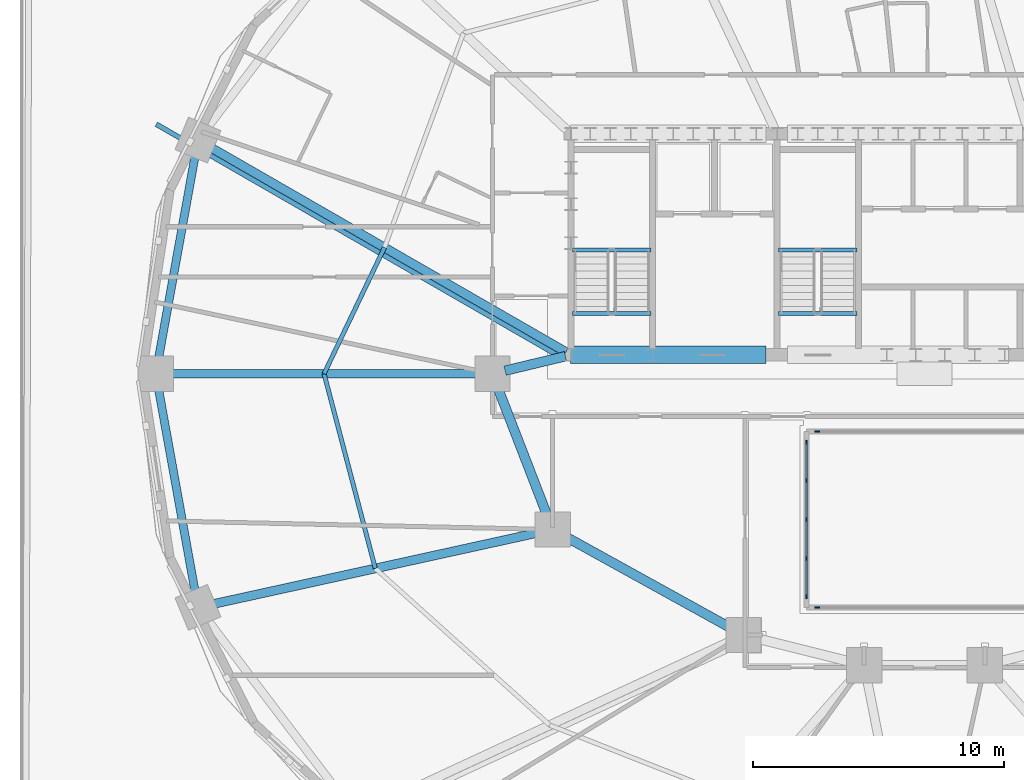
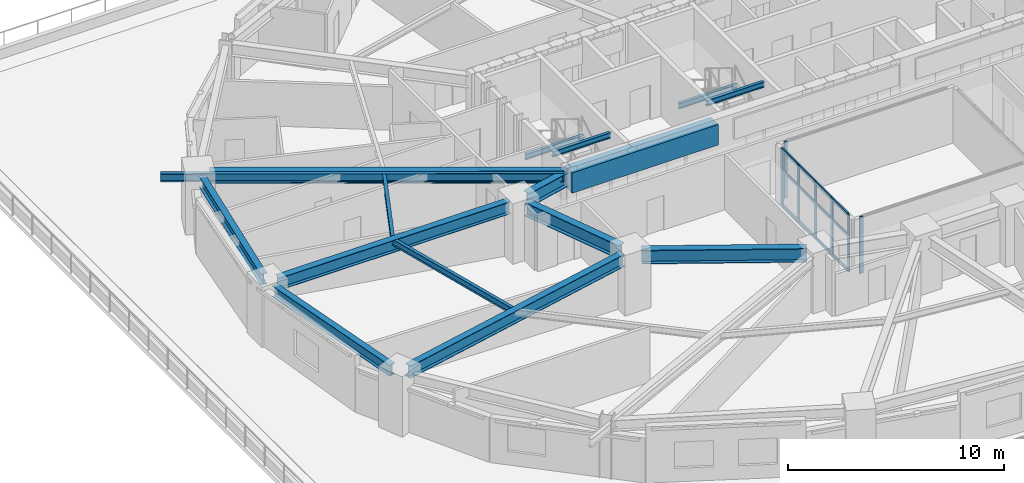
# One storey, part 3 of 18: 19 members, 16 beams, 3 elements without a shape of their own.
"""IFC4 building model written with IfcOpenShell, lengths in metres."""

from ifc_helpers import new_model, si_unit, direction, frame, origin, origin_2d, place, context, subcontext, project, spatial, rectangle, i_section, extrude, material, material_profile, profile_set, type_object, element, aggregate, save


model = new_model("IFC4")

# Units and contexts
model_context = context("Model", 3, precision=1e-05, world=origin(), true_north=direction((0.0, 1.0)))
body_context = subcontext(model_context, "Body", "Model", "MODEL_VIEW")
ifc_project = project(units=[si_unit("LENGTHUNIT", "METRE"), si_unit("AREAUNIT", "SQUARE_METRE"), si_unit("VOLUMEUNIT", "CUBIC_METRE"), si_unit("PLANEANGLEUNIT", "RADIAN"), si_unit("MASSUNIT", "GRAM", prefix="KILO")], contexts=[model_context])

# Site, building, storey
site_placement = place(None, origin())
site = spatial("IfcSite", under=ifc_project, at=site_placement, CompositionType="ELEMENT")
building_placement = place(site_placement, origin())
building = spatial("IfcBuilding", under=site, at=building_placement, Name="Haldorwick Loom Tower", CompositionType="ELEMENT")
storey_placement = place(building_placement, frame((0.0, 0.0, 24.0)))
storey = spatial("IfcBuildingStorey", under=building, at=storey_placement, Name="L05", CompositionType="ELEMENT", Elevation=24.0)

# Curtain wall, member
ifc_material_1 = material(Name="Thermally Broken Anodized Aluminium Curtain Wall Framing", Category="aluminium")
curtain_wall_type = type_object("IfcCurtainWallType", Name="ARC-CW-03", PredefinedType="NOTDEFINED", material=ifc_material_1)
curtain_wall_1_placement = place(storey_placement, origin())
curtain_wall_1 = element("IfcCurtainWall", 1, at=curtain_wall_1_placement, inside=storey, type_object=curtain_wall_type, Name="L05 Atrium Glazed Screen S", PredefinedType="NOTDEFINED")
ifc_material_profile_1 = material_profile(ifc_material_1, rectangle(XDim=0.06591796875, YDim=0.18505859375, at=origin_2d()), Name="ALU_MUL_66X185", Category="aluminium")
ifc_profile_set_1 = profile_set([ifc_material_profile_1], Name="Thermally Broken Anodized Aluminium Curtain Wall Framing")
member_type_1 = type_object("IfcMemberType", Name="ARC-CWM-03", PredefinedType="MULLION", material=ifc_profile_set_1)
member_1_placement = place(storey_placement, frame((31.73291015625, 16.699951171875, 0.0), z_axis=(0.0, 0.0, 1.0), x_axis=(0.0, -1.0, 0.0)))
member_1 = element("IfcMember", 2, at=member_1_placement, type_object=member_type_1, Name="CW-03 mullion 6", PredefinedType="MULLION", context=body_context, shape_type="SweptSolid", body=[
    extrude(rectangle(XDim=0.06591796875, YDim=0.18505859375, at=origin_2d()), origin(), (0.0, 0.0, 1.0), 3.2099609375),
])
aggregate(curtain_wall_1, [member_1])

curtain_wall_2_placement = place(storey_placement, origin())
curtain_wall_2 = element("IfcCurtainWall", 3, at=curtain_wall_2_placement, inside=storey, type_object=curtain_wall_type, Name="L05 Atrium Glazed Screen N", PredefinedType="NOTDEFINED")
member_2_placement = place(storey_placement, frame((31.73291015625, 23.699951171875, 0.0), z_axis=(0.0, 0.0, 1.0), x_axis=(0.0, 1.0, 0.0)))
member_2 = element("IfcMember", 4, at=member_2_placement, type_object=member_type_1, Name="CW-03 mullion 1", PredefinedType="MULLION", context=body_context, shape_type="SweptSolid", body=[
    extrude(rectangle(XDim=0.06591796875, YDim=0.18505859375, at=origin_2d()), origin(), (0.0, 0.0, 1.0), 3.2099609375),
])
aggregate(curtain_wall_2, [member_2])

# Curtain wall, members
curtain_wall_3_placement = place(storey_placement, origin())
curtain_wall_3 = element("IfcCurtainWall", 5, at=curtain_wall_3_placement, inside=storey, type_object=curtain_wall_type, Name="L05 Atrium Glazed Screen W", PredefinedType="NOTDEFINED")
member_3_placement = place(storey_placement, frame((31.300048828125, 17.133056640625, 0.0), z_axis=(0.0, 0.0, 1.0), x_axis=(-1.0, 0.0, 0.0)))
member_3 = element("IfcMember", 6, at=member_3_placement, type_object=member_type_1, Name="CW-03 mullion 1", PredefinedType="MULLION", context=body_context, shape_type="SweptSolid", body=[
    extrude(rectangle(XDim=0.06591796875, YDim=0.18505859375, at=origin_2d()), origin(), (0.0, 0.0, 1.0), 3.2099609375),
])
member_4_placement = place(storey_placement, frame((31.300048828125, 18.64990234375, 0.0), z_axis=(0.0, 0.0, 1.0), x_axis=(-1.0, 0.0, 0.0)))
member_4 = element("IfcMember", 7, at=member_4_placement, type_object=member_type_1, Name="CW-03 mullion 2", PredefinedType="MULLION", context=body_context, shape_type="SweptSolid", body=[
    extrude(rectangle(XDim=0.06591796875, YDim=0.18505859375, at=origin_2d()), origin(), (0.0, 0.0, 1.0), 3.2099609375),
])
member_5_placement = place(storey_placement, frame((31.300048828125, 20.199951171875, 0.0), z_axis=(0.0, 0.0, 1.0), x_axis=(-1.0, 0.0, 0.0)))
member_5 = element("IfcMember", 8, at=member_5_placement, type_object=member_type_1, Name="CW-03 mullion 3", PredefinedType="MULLION", context=body_context, shape_type="SweptSolid", body=[
    extrude(rectangle(XDim=0.06591796875, YDim=0.18505859375, at=origin_2d()), origin(), (0.0, 0.0, 1.0), 3.2099609375),
])
member_6_placement = place(storey_placement, frame((31.300048828125, 21.75, 0.0), z_axis=(0.0, 0.0, 1.0), x_axis=(-1.0, 0.0, 0.0)))
member_6 = element("IfcMember", 9, at=member_6_placement, type_object=member_type_1, Name="CW-03 mullion 4", PredefinedType="MULLION", context=body_context, shape_type="SweptSolid", body=[
    extrude(rectangle(XDim=0.06591796875, YDim=0.18505859375, at=origin_2d()), origin(), (0.0, 0.0, 1.0), 3.2099609375),
])
member_7_placement = place(storey_placement, frame((31.300048828125, 23.26708984375, 0.0), z_axis=(0.0, 0.0, 1.0), x_axis=(-1.0, 0.0, 0.0)))
member_7 = element("IfcMember", 10, at=member_7_placement, type_object=member_type_1, Name="CW-03 mullion 5", PredefinedType="MULLION", context=body_context, shape_type="SweptSolid", body=[
    extrude(rectangle(XDim=0.06591796875, YDim=0.18505859375, at=origin_2d()), origin(), (0.0, 0.0, 1.0), 3.2099609375),
])
ifc_material_profile_2 = material_profile(ifc_material_1, rectangle(XDim=0.06591796875, YDim=0.1650390625, at=origin_2d()), Name="ALU_TRN_66X165", Category="aluminium")
ifc_profile_set_2 = profile_set([ifc_material_profile_2], Name="Thermally Broken Anodized Aluminium Curtain Wall Framing")
member_type_2 = type_object("IfcMemberType", Name="ARC-CWT-03", PredefinedType="USERDEFINED", material=ifc_profile_set_2)
member_8_placement = place(storey_placement, frame((31.300048828125, 17.166015625, 0.032958984375), z_axis=(0.0, 1.0, 0.0), x_axis=(-1.0, 0.0, 0.0)))
member_8 = element("IfcMember", 11, at=member_8_placement, type_object=member_type_2, Name="CW-03 transom 1.1", ObjectType="TRANSOM", PredefinedType="USERDEFINED", context=body_context, shape_type="SweptSolid", body=[
    extrude(rectangle(XDim=0.06591796875, YDim=0.1650390625, at=origin_2d()), origin(), (0.0, 0.0, 1.0), 1.450927734375),
])
member_9_placement = place(storey_placement, frame((31.300048828125, 17.166015625, 2.0), z_axis=(0.0, 1.0, 0.0), x_axis=(-1.0, 0.0, 0.0)))
member_9 = element("IfcMember", 12, at=member_9_placement, type_object=member_type_2, Name="CW-03 transom 1.2", ObjectType="TRANSOM", PredefinedType="USERDEFINED", context=body_context, shape_type="SweptSolid", body=[
    extrude(rectangle(XDim=0.06591796875, YDim=0.1650390625, at=origin_2d()), origin(), (0.0, 0.0, 1.0), 1.450927734375),
])
member_10_placement = place(storey_placement, frame((31.300048828125, 17.166015625, 3.177001953125), z_axis=(0.0, 1.0, 0.0), x_axis=(-1.0, 0.0, 0.0)))
member_10 = element("IfcMember", 13, at=member_10_placement, type_object=member_type_2, Name="CW-03 transom 1.3", ObjectType="TRANSOM", PredefinedType="USERDEFINED", context=body_context, shape_type="SweptSolid", body=[
    extrude(rectangle(XDim=0.06591796875, YDim=0.1650390625, at=origin_2d()), origin(), (0.0, 0.0, 1.0), 1.450927734375),
])
member_11_placement = place(storey_placement, frame((31.300048828125, 18.68310546875, 0.032958984375), z_axis=(0.0, 1.0, 0.0), x_axis=(-1.0, 0.0, 0.0)))
member_11 = element("IfcMember", 14, at=member_11_placement, type_object=member_type_2, Name="CW-03 transom 2.1", ObjectType="TRANSOM", PredefinedType="USERDEFINED", context=body_context, shape_type="SweptSolid", body=[
    extrude(rectangle(XDim=0.06591796875, YDim=0.1650390625, at=origin_2d()), origin(), (0.0, 0.0, 1.0), 1.48388671875),
])
member_12_placement = place(storey_placement, frame((31.300048828125, 18.68310546875, 2.0), z_axis=(0.0, 1.0, 0.0), x_axis=(-1.0, 0.0, 0.0)))
member_12 = element("IfcMember", 15, at=member_12_placement, type_object=member_type_2, Name="CW-03 transom 2.2", ObjectType="TRANSOM", PredefinedType="USERDEFINED", context=body_context, shape_type="SweptSolid", body=[
    extrude(rectangle(XDim=0.06591796875, YDim=0.1650390625, at=origin_2d()), origin(), (0.0, 0.0, 1.0), 1.48388671875),
])
member_13_placement = place(storey_placement, frame((31.300048828125, 18.68310546875, 3.177001953125), z_axis=(0.0, 1.0, 0.0), x_axis=(-1.0, 0.0, 0.0)))
member_13 = element("IfcMember", 16, at=member_13_placement, type_object=member_type_2, Name="CW-03 transom 2.3", ObjectType="TRANSOM", PredefinedType="USERDEFINED", context=body_context, shape_type="SweptSolid", body=[
    extrude(rectangle(XDim=0.06591796875, YDim=0.1650390625, at=origin_2d()), origin(), (0.0, 0.0, 1.0), 1.48388671875),
])
member_14_placement = place(storey_placement, frame((31.300048828125, 20.23291015625, 0.032958984375), z_axis=(0.0, 1.0, 0.0), x_axis=(-1.0, 0.0, 0.0)))
member_14 = element("IfcMember", 17, at=member_14_placement, type_object=member_type_2, Name="CW-03 transom 3.1", ObjectType="TRANSOM", PredefinedType="USERDEFINED", context=body_context, shape_type="SweptSolid", body=[
    extrude(rectangle(XDim=0.06591796875, YDim=0.1650390625, at=origin_2d()), origin(), (0.0, 0.0, 1.0), 1.484130859375),
])
member_15_placement = place(storey_placement, frame((31.300048828125, 20.23291015625, 2.0), z_axis=(0.0, 1.0, 0.0), x_axis=(-1.0, 0.0, 0.0)))
member_15 = element("IfcMember", 18, at=member_15_placement, type_object=member_type_2, Name="CW-03 transom 3.2", ObjectType="TRANSOM", PredefinedType="USERDEFINED", context=body_context, shape_type="SweptSolid", body=[
    extrude(rectangle(XDim=0.06591796875, YDim=0.1650390625, at=origin_2d()), origin(), (0.0, 0.0, 1.0), 1.484130859375),
])
member_16_placement = place(storey_placement, frame((31.300048828125, 20.23291015625, 3.177001953125), z_axis=(0.0, 1.0, 0.0), x_axis=(-1.0, 0.0, 0.0)))
member_16 = element("IfcMember", 19, at=member_16_placement, type_object=member_type_2, Name="CW-03 transom 3.3", ObjectType="TRANSOM", PredefinedType="USERDEFINED", context=body_context, shape_type="SweptSolid", body=[
    extrude(rectangle(XDim=0.06591796875, YDim=0.1650390625, at=origin_2d()), origin(), (0.0, 0.0, 1.0), 1.484130859375),
])
member_17_placement = place(storey_placement, frame((31.300048828125, 21.782958984375, 0.032958984375), z_axis=(0.0, 1.0, 0.0), x_axis=(-1.0, 0.0, 0.0)))
member_17 = element("IfcMember", 20, at=member_17_placement, type_object=member_type_2, Name="CW-03 transom 4.1", ObjectType="TRANSOM", PredefinedType="USERDEFINED", context=body_context, shape_type="SweptSolid", body=[
    extrude(rectangle(XDim=0.06591796875, YDim=0.1650390625, at=origin_2d()), origin(), (0.0, 0.0, 1.0), 1.450927734375),
])
member_18_placement = place(storey_placement, frame((31.300048828125, 21.782958984375, 2.0), z_axis=(0.0, 1.0, 0.0), x_axis=(-1.0, 0.0, 0.0)))
member_18 = element("IfcMember", 21, at=member_18_placement, type_object=member_type_2, Name="CW-03 transom 4.2", ObjectType="TRANSOM", PredefinedType="USERDEFINED", context=body_context, shape_type="SweptSolid", body=[
    extrude(rectangle(XDim=0.06591796875, YDim=0.1650390625, at=origin_2d()), origin(), (0.0, 0.0, 1.0), 1.450927734375),
])
member_19_placement = place(storey_placement, frame((31.300048828125, 21.782958984375, 3.177001953125), z_axis=(0.0, 1.0, 0.0), x_axis=(-1.0, 0.0, 0.0)))
member_19 = element("IfcMember", 22, at=member_19_placement, type_object=member_type_2, Name="CW-03 transom 4.3", ObjectType="TRANSOM", PredefinedType="USERDEFINED", context=body_context, shape_type="SweptSolid", body=[
    extrude(rectangle(XDim=0.06591796875, YDim=0.1650390625, at=origin_2d()), origin(), (0.0, 0.0, 1.0), 1.450927734375),
])
aggregate(curtain_wall_3, [member_3, member_4, member_5, member_6, member_7, member_8, member_9, member_10, member_11, member_12, member_13, member_14, member_15, member_16, member_17, member_18, member_19])

# Beams
ifc_material_2 = material(Name="Steel CSA G40.21 350W", Category="steel")
ifc_material_profile_3 = material_profile(ifc_material_2, i_section(OverallWidth=0.193115234375, OverallDepth=0.466064453125, WebThickness=0.011474609375, FlangeThickness=0.01904296875, at=origin_2d()), Name="W460X97", Category="steel")
ifc_profile_set_3 = profile_set([ifc_material_profile_3], Name="Steel CSA G40.21 350W")
beam_type_1 = type_object("IfcBeamType", Name="STR-BM-BAL460", PredefinedType="BEAM", material=ifc_profile_set_3)
beam_1_placement = place(storey_placement, frame((21.59521484375, 26.61962890625, 2.97705078125), z_axis=(-0.866607024941, 0.49899124674, 0.0), x_axis=(-0.49899124674, -0.866607024941, 0.0)))
element("IfcBeam", 23, at=beam_1_placement, inside=storey, type_object=beam_type_1, Name="L05 Continuous Back-Spanned Balcony Beam 3", PredefinedType="BEAM", context=body_context, shape_type="SweptSolid", body=[
    extrude(i_section(OverallWidth=0.193115234375, OverallDepth=0.466064453125, WebThickness=0.011474609375, FlangeThickness=0.01904296875, at=origin_2d()), origin(), (0.0, 0.0, 1.0), 18.65771484375),
])
ifc_material_3 = material(Name="Concrete C60 (60 MPa)", Category="concrete")
ifc_material_profile_4 = material_profile(ifc_material_3, rectangle(XDim=0.699951171875, YDim=1.14990234375, at=origin_2d()), Name="RC700X1150", Category="concrete")
ifc_profile_set_4 = profile_set([ifc_material_profile_4], Name="Concrete C60 (60 MPa)")
beam_type_2 = type_object("IfcBeamType", Name="STR-BM-CB1150", PredefinedType="LINTEL", material=ifc_profile_set_4)
beam_2_placement = place(storey_placement, frame((21.89990234375, 26.75, 2.635009765625), z_axis=(1.0, 0.0, 0.0), x_axis=(0.0, 1.0, 0.0)))
element("IfcBeam", 24, at=beam_2_placement, inside=storey, type_object=beam_type_2, Name="L05 Core Coupling Beam CB-S1", PredefinedType="LINTEL", context=body_context, shape_type="SweptSolid", body=[
    extrude(rectangle(XDim=0.699951171875, YDim=1.14990234375, at=origin_2d()), origin(), (0.0, 0.0, 1.0), 7.800048828125),
])
ifc_material_profile_5 = material_profile(ifc_material_2, i_section(OverallWidth=0.172119140625, OverallDepth=0.35791015625, WebThickness=0.0078125, FlangeThickness=0.01318359375, at=origin_2d()), Name="W360X57", Category="steel")
ifc_profile_set_5 = profile_set([ifc_material_profile_5], Name="Steel CSA G40.21 350W")
beam_type_3 = type_object("IfcBeamType", Name="STR-BM-J360", PredefinedType="JOIST", material=ifc_profile_set_5)
beam_3_placement = place(storey_placement, frame((14.50634765625, 31.024658203125, 3.031005859375), z_axis=(-0.431630738849, -0.902050389546, 0.0), x_axis=(0.902050389546, -0.431630738849, 0.0)))
element("IfcBeam", 25, at=beam_3_placement, inside=storey, type_object=beam_type_3, Name="L05 Mid-Bay Secondary Joist 8", PredefinedType="JOIST", context=body_context, shape_type="SweptSolid", body=[
    extrude(i_section(OverallWidth=0.172119140625, OverallDepth=0.35791015625, WebThickness=0.0078125, FlangeThickness=0.01318359375, at=origin_2d()), origin(), (0.0, 0.0, 1.0), 5.5703125),
])
beam_4_placement = place(storey_placement, frame((12.10205078125, 26.0, 3.031005859375), z_axis=(0.2544888003, -0.967075721193, 0.0), x_axis=(0.967075721193, 0.2544888003, 0.0)))
element("IfcBeam", 26, at=beam_4_placement, inside=storey, type_object=beam_type_3, Name="L05 Mid-Bay Secondary Joist 9", PredefinedType="JOIST", context=body_context, shape_type="SweptSolid", body=[
    extrude(i_section(OverallWidth=0.172119140625, OverallDepth=0.35791015625, WebThickness=0.0078125, FlangeThickness=0.01318359375, at=origin_2d()), origin(), (0.0, 0.0, 1.0), 8.013427734375),
])
ifc_material_profile_6 = material_profile(ifc_material_2, i_section(OverallWidth=0.324951171875, OverallDepth=0.615966796875, WebThickness=0.013916015625, FlangeThickness=0.021484375, at=origin_2d()), Name="W610X174", Category="steel")
ifc_profile_set_6 = profile_set([ifc_material_profile_6], Name="Steel CSA G40.21 350W")
beam_type_4 = type_object("IfcBeamType", Name="STR-BM-SP610", PredefinedType="SPANDREL", material=ifc_profile_set_6)
for number, where, z_axis, x_axis, name in (
    (27, (6.990234375, 34.78759765625, 2.902099609375), (-0.177641139482, -0.984095333575, 0.0), (0.984095333575, -0.177641139482, 0.0), "L05 Perimeter Spandrel 8"),
    (28, (5.496337890625, 25.48828125, 2.902099609375), (0.177641139482, -0.984095333575, 0.0), (0.984095333575, 0.177641139482, 0.0), "L05 Perimeter Spandrel 9"),
):
    element("IfcBeam", number, at=place(storey_placement, frame(where, z_axis=z_axis, x_axis=x_axis)), inside=storey, type_object=beam_type_4, Name=name, PredefinedType="SPANDREL", context=body_context, shape_type="SweptSolid", body=[
        extrude(i_section(OverallWidth=0.324951171875, OverallDepth=0.615966796875, WebThickness=0.013916015625, FlangeThickness=0.021484375, at=origin_2d()), origin(), (0.0, 0.0, 1.0), 8.40966796875),
    ])
ifc_material_profile_7 = material_profile(ifc_material_2, i_section(OverallWidth=0.166015625, OverallDepth=0.31298828125, WebThickness=0.006591796875, FlangeThickness=0.01123046875, at=origin_2d()), Name="W310X45", Category="steel")
ifc_profile_set_7 = profile_set([ifc_material_profile_7], Name="Steel CSA G40.21 350W")
beam_type_5 = type_object("IfcBeamType", Name="STR-BM-STRM", PredefinedType="BEAM", material=ifc_profile_set_7)
for number, where, z_axis, x_axis, name in (
    (29, (21.989990234375, 28.39990234375, 3.053466796875), (1.0, 0.0, 0.0), (0.0, 1.0, 0.0), "L05 Stair ST-01 Landing Edge Trimmer"),
    (30, (21.989990234375, 30.919921875, 1.368408203125), (1.0, 0.0, 0.0), (0.0, 1.0, 0.0), "L05 Stair ST-01 Half-Landing Trimmer 1"),
    (31, (30.18994140625, 28.39990234375, 3.053466796875), (1.0, 0.0, 0.0), (0.0, 1.0, 0.0), "L05 Stair ST-03 Landing Edge Trimmer"),
    (32, (30.18994140625, 30.919921875, 1.368408203125), (1.0, 0.0, 0.0), (0.0, 1.0, 0.0), "L05 Stair ST-03 Half-Landing Trimmer 1"),
):
    element("IfcBeam", number, at=place(storey_placement, frame(where, z_axis=z_axis, x_axis=x_axis)), inside=storey, type_object=beam_type_5, Name=name, PredefinedType="BEAM", context=body_context, shape_type="SweptSolid", body=[
        extrude(i_section(OverallWidth=0.166015625, OverallDepth=0.31298828125, WebThickness=0.006591796875, FlangeThickness=0.01123046875, at=origin_2d()), origin(), (0.0, 0.0, 1.0), 3.1201171875),
    ])
ifc_material_profile_8 = material_profile(ifc_material_2, i_section(OverallWidth=0.35498046875, OverallDepth=0.695068359375, WebThickness=0.015380859375, FlangeThickness=0.02490234375, at=origin_2d()), Name="W690X217", Category="steel")
ifc_profile_set_8 = profile_set([ifc_material_profile_8], Name="Steel CSA G40.21 350W")
beam_type_6 = type_object("IfcBeamType", Name="STR-BM-W690", PredefinedType="BEAM", material=ifc_profile_set_8)
beam_5_placement = place(storey_placement, frame((21.735107421875, 26.8623046875, 2.862548828125), z_axis=(-0.86660566838, 0.498993602696, 0.0), x_axis=(-0.498993602696, -0.86660566838, 0.0)))
element("IfcBeam", 33, at=beam_5_placement, inside=storey, type_object=beam_type_6, Name="L05 Radial Floor Girder 8", PredefinedType="BEAM", context=body_context, shape_type="SweptSolid", body=[
    extrude(i_section(OverallWidth=0.35498046875, OverallDepth=0.695068359375, WebThickness=0.015380859375, FlangeThickness=0.02490234375, at=origin_2d()), origin(), (0.0, 0.0, 1.0), 16.387939453125),
])
beam_6_placement = place(storey_placement, frame((18.280029296875, 26.0, 2.862548828125), z_axis=(-1.0, 0.0, 0.0), x_axis=(0.0, -1.0, 0.0)))
element("IfcBeam", 34, at=beam_6_placement, inside=storey, type_object=beam_type_6, Name="L05 Radial Floor Girder 9", PredefinedType="BEAM", context=body_context, shape_type="SweptSolid", body=[
    extrude(i_section(OverallWidth=0.35498046875, OverallDepth=0.695068359375, WebThickness=0.015380859375, FlangeThickness=0.02490234375, at=origin_2d()), origin(), (0.0, 0.0, 1.0), 12.35595703125),
])
beam_7_placement = place(storey_placement, frame((20.692138671875, 19.6884765625, 2.862548828125), z_axis=(-0.976740159434, -0.214426353203, 0.0), x_axis=(0.214426353203, -0.976740159434, 0.0)))
element("IfcBeam", 35, at=beam_7_placement, inside=storey, type_object=beam_type_6, Name="L05 Radial Floor Girder 10", PredefinedType="BEAM", context=body_context, shape_type="SweptSolid", body=[
    extrude(i_section(OverallWidth=0.35498046875, OverallDepth=0.695068359375, WebThickness=0.015380859375, FlangeThickness=0.02490234375, at=origin_2d()), origin(), (0.0, 0.0, 1.0), 13.41357421875),
])
ifc_material_profile_9 = material_profile(ifc_material_2, i_section(OverallWidth=0.381103515625, OverallDepth=0.77294921875, WebThickness=0.0166015625, FlangeThickness=0.027587890625, at=origin_2d()), Name="W760X257", Category="steel")
ifc_profile_set_9 = profile_set([ifc_material_profile_9], Name="Steel CSA G40.21 350W")
beam_type_7 = type_object("IfcBeamType", Name="STR-BM-W760", PredefinedType="BEAM", material=ifc_profile_set_9)
beam_8_placement = place(storey_placement, frame((28.344970703125, 15.8515625, 2.823486328125), z_axis=(-0.875244382146, 0.483680960471, 0.0), x_axis=(-0.483680960471, -0.875244382146, 0.0)))
element("IfcBeam", 36, at=beam_8_placement, inside=storey, type_object=beam_type_7, Name="L05 Inner Ring Girder 7", PredefinedType="BEAM", context=body_context, shape_type="SweptSolid", body=[
    extrude(i_section(OverallWidth=0.381103515625, OverallDepth=0.77294921875, WebThickness=0.0166015625, FlangeThickness=0.027587890625, at=origin_2d()), origin(), (0.0, 0.0, 1.0), 7.6435546875),
])
beam_9_placement = place(storey_placement, frame((21.01220703125, 20.284912109375, 2.823486328125), z_axis=(-0.360964792353, 0.93257944363, 0.0), x_axis=(-0.93257944363, -0.360964792353, 0.0)))
element("IfcBeam", 37, at=beam_9_placement, inside=storey, type_object=beam_type_7, Name="L05 Inner Ring Girder 8", PredefinedType="BEAM", context=body_context, shape_type="SweptSolid", body=[
    extrude(i_section(OverallWidth=0.381103515625, OverallDepth=0.77294921875, WebThickness=0.0166015625, FlangeThickness=0.027587890625, at=origin_2d()), origin(), (0.0, 0.0, 1.0), 5.6083984375),
])
beam_10_placement = place(storey_placement, frame((19.3056640625, 26.12109375, 2.823486328125), z_axis=(0.97247055837, 0.233025777764, 0.0), x_axis=(-0.233025777764, 0.97247055837, 0.0)))
element("IfcBeam", 38, at=beam_10_placement, inside=storey, type_object=beam_type_7, Name="L05 Inner Ring Girder 9", PredefinedType="BEAM", context=body_context, shape_type="SweptSolid", body=[
    extrude(i_section(OverallWidth=0.381103515625, OverallDepth=0.77294921875, WebThickness=0.0166015625, FlangeThickness=0.027587890625, at=origin_2d()), origin(), (0.0, 0.0, 1.0), 2.4736328125),
])

save(model, "model.ifc")
